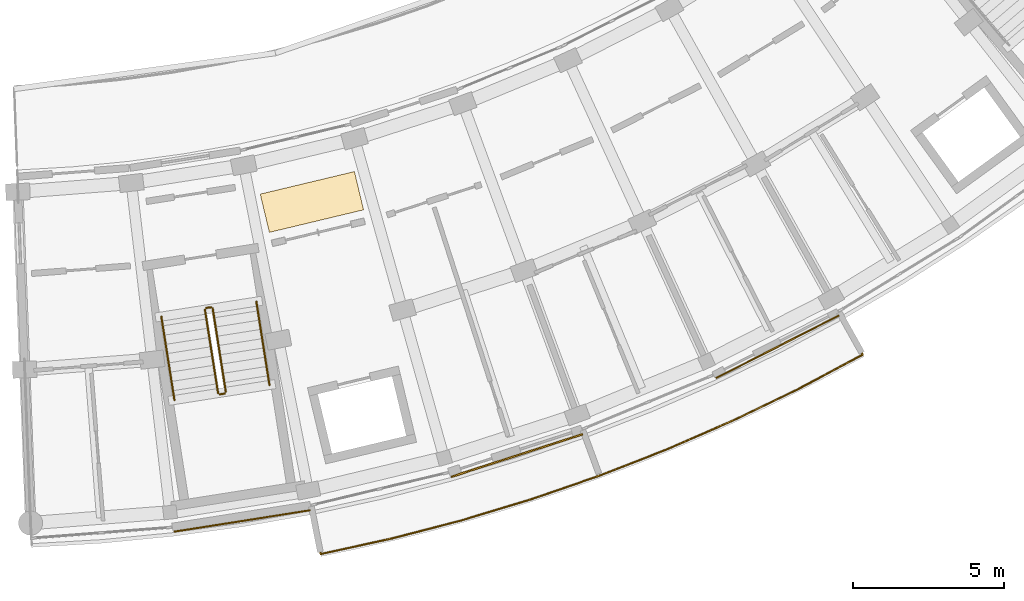
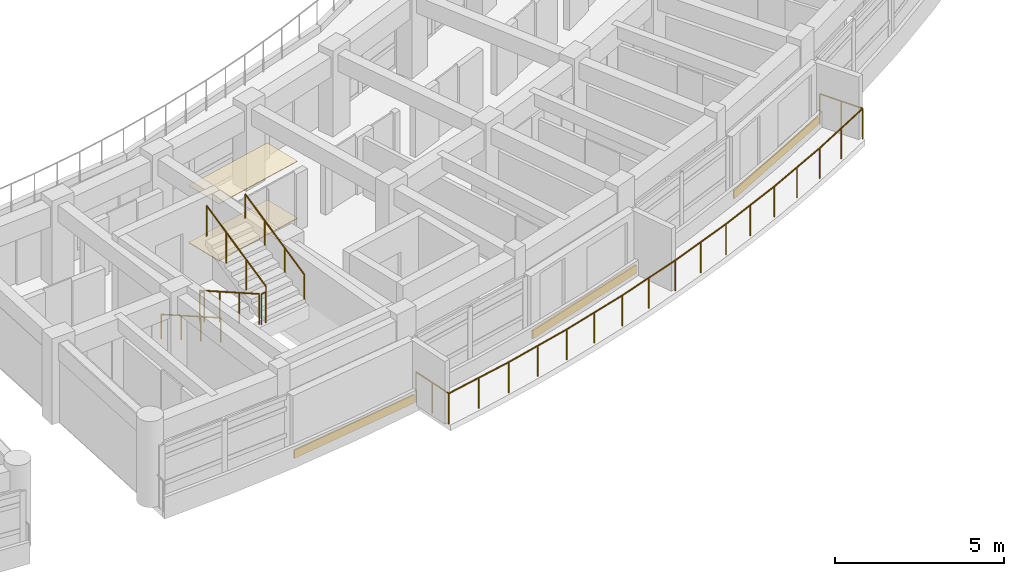
# One storey, part 52 of 54: 7 railings, 5 coverings.
"""IFC4 building model written with IfcOpenShell, lengths in metres."""

from ifc_helpers import new_model, si_unit, direction, frame, origin, origin_2d, place, context, subcontext, project, spatial, rectangle, circle, extrude, material, layer, layer_set, type_object, element, save


model = new_model("IFC4")

# Units and contexts
model_context = context("Model", 3, precision=1e-05, world=origin(), true_north=direction((0.0, 1.0)))
body_context = subcontext(model_context, "Body", "Model", "MODEL_VIEW")
ifc_project = project(units=[si_unit("LENGTHUNIT", "METRE"), si_unit("AREAUNIT", "SQUARE_METRE"), si_unit("VOLUMEUNIT", "CUBIC_METRE"), si_unit("PLANEANGLEUNIT", "RADIAN"), si_unit("MASSUNIT", "GRAM", prefix="KILO")], contexts=[model_context])

# Site, building, storey
site_placement = place(None, origin())
site = spatial("IfcSite", under=ifc_project, at=site_placement, CompositionType="ELEMENT")
building_placement = place(site_placement, origin())
building = spatial("IfcBuilding", under=site, at=building_placement, Name="Zimvara Arc Housing Community", CompositionType="ELEMENT")
storey_placement = place(building_placement, frame((0.0, 0.0, 20.5)))
storey = spatial("IfcBuildingStorey", under=building, at=storey_placement, Name="L06", CompositionType="ELEMENT", Elevation=20.5)

# Coverings
ifc_material_1 = material(Name="Pale-Gold Anodised Aluminium Cladding", Category="aluminium")
ifc_layer_1 = layer(ifc_material_1, 0.044921875)
ifc_layer_set_1 = layer_set([ifc_layer_1], Name="Pale-Gold Anodised Aluminium Cladding")
covering_type_1 = type_object("IfcCoveringType", Name="CLD-GOLD-02", PredefinedType="CLADDING", material=ifc_layer_set_1)
for number, where, z_axis, x_axis, name in (
    (1, (135.23486328125, 51.095703125, 0.009765625), (0.0, 0.0, 1.0), (0.987824479318, 0.155572484907, 0.0), "cld:blkD:L06:out:b1"),
    (2, (152.93017578125, 56.85302734375, 0.009765625), (0.0, 0.0, 1.0), (0.891402366318, 0.453212777096, 0.0), "cld:blkD:L06:out:b5"),
):
    element("IfcCovering", number, at=place(storey_placement, frame(where, z_axis=z_axis, x_axis=x_axis)), inside=storey, type_object=covering_type_1, Name=name, PredefinedType="CLADDING", context=body_context, shape_type="SweptSolid", body=[
        extrude(rectangle(XDim=4.5625, YDim=0.044921875, at=origin_2d()), origin(), (0.0, 0.0, 1.0), 0.300048828125),
    ])
ifc_material_2 = material(Name="Pale-Gold Anodised Aluminium Cladding", Category="aluminium")
ifc_layer_2 = layer(ifc_material_2, 0.054931640625)
ifc_layer_set_2 = layer_set([ifc_layer_2], Name="Pale-Gold Anodised Aluminium Cladding")
covering_type_2 = type_object("IfcCoveringType", Name="CLD-GOLD-04", PredefinedType="CLADDING", material=ifc_layer_set_2)
covering_1_placement = place(storey_placement, frame((144.316650390625, 53.25732421875, 0.009765625), z_axis=(0.0, 0.0, 1.0), x_axis=(0.951325822325, 0.308186923436, 0.0)))
element("IfcCovering", 3, at=covering_1_placement, inside=storey, type_object=covering_type_2, Name="cld:blkD:L06:out:b3", PredefinedType="CLADDING", context=body_context, shape_type="SweptSolid", body=[
    extrude(rectangle(XDim=4.5625, YDim=0.054931640625, at=origin_2d()), origin(), (0.0, 0.0, 1.0), 0.300048828125),
])
ifc_material_3 = material(Name="Perforated Acoustic Ceiling Board")
ifc_layer_3 = layer(ifc_material_3, 0.02490234375)
ifc_layer_set_3 = layer_set([ifc_layer_3], Name="Perforated Acoustic Ceiling Board")
covering_type_3 = type_object("IfcCoveringType", Name="COV-CEIL-03", PredefinedType="CEILING", material=ifc_layer_set_3)
covering_2_placement = place(storey_placement, frame((137.53955078125, 61.639404296875, 2.054931640625), z_axis=(0.0, 0.0, 1.0), x_axis=(0.232596722241, -0.972573269632, 0.0)))
element("IfcCovering", 4, at=covering_2_placement, inside=storey, type_object=covering_type_3, Name="ceil:blkD:L06", PredefinedType="CEILING", context=body_context, shape_type="SweptSolid", body=[
    extrude(rectangle(XDim=1.300048828125, YDim=3.199951171875, at=origin_2d()), origin(), (0.0, 0.0, 1.0), 0.02490234375),
])
ifc_material_4 = material(Name="Polished Coastal Sand Terrazzo")
ifc_layer_4 = layer(ifc_material_4, 0.028076171875)
ifc_layer_set_4 = layer_set([ifc_layer_4], Name="Polished Coastal Sand Terrazzo")
covering_type_4 = type_object("IfcCoveringType", Name="COV-FLOR-03", PredefinedType="FLOORING", material=ifc_layer_set_4)
covering_3_placement = place(storey_placement, frame((137.53955078125, 61.639404296875, 0.0), z_axis=(0.0, 0.0, 1.0), x_axis=(0.232596722241, -0.972573269632, 0.0)))
element("IfcCovering", 5, at=covering_3_placement, inside=storey, type_object=covering_type_4, Name="flor:blkD:L06", PredefinedType="FLOORING", context=body_context, shape_type="SweptSolid", body=[
    extrude(rectangle(XDim=1.300048828125, YDim=3.199951171875, at=origin_2d()), origin(), (0.0, 0.0, 1.0), 0.028076171875),
])

# Railings
ifc_material_5 = material(Name="Anodised Aluminium AW-6063", Category="aluminium")
railing_type_1 = type_object("IfcRailingType", Name="RLG-BAL-1120", PredefinedType="BALUSTRADE", material=ifc_material_5)
railing_1_placement = place(storey_placement, frame((137.546630859375, 51.444091796875, 0.0)))
element("IfcRailing", 6, at=railing_1_placement, inside=storey, type_object=railing_type_1, Name="rlg:blkD:L06:bal_out_guard", PredefinedType="BALUSTRADE", context=body_context, shape_type="SweptSolid", body=[
    extrude(circle(Radius=0.02392578125, at=origin_2d()), frame((0.0, 0.0, 1.09619140625), z_axis=(0.194327130478, -0.980936780002, 0.0), x_axis=(0.980936780002, 0.194327130478, 0.0)), (0.0, 0.0, 1.0), 1.469970703125),
    extrude(circle(Radius=0.02392578125, at=origin_2d()), frame((0.28564453125, -1.44189453125, 1.09619140625), z_axis=(0.976950509296, 0.213465927928, 0.0), x_axis=(-0.213465927928, 0.976950509296, 0.0)), (0.0, 0.0, 1.0), 2.39599609375),
    extrude(circle(Radius=0.02392578125, at=origin_2d()), frame((2.62646484375, -0.930419921875, 1.09619140625), z_axis=(0.967834417436, 0.251588037129, 0.0), x_axis=(-0.251588037129, 0.967834417436, 0.0)), (0.0, 0.0, 1.0), 2.39599609375),
    extrude(circle(Radius=0.02392578125, at=origin_2d()), frame((4.9453125, -0.32763671875, 1.09619140625), z_axis=(0.957193048015, 0.289450287324, 0.0), x_axis=(-0.289450287324, 0.957193048015, 0.0)), (0.0, 0.0, 1.0), 2.396240234375),
    extrude(circle(Radius=0.02392578125, at=origin_2d()), frame((7.239013671875, 0.365966796875, 1.09619140625), z_axis=(0.945067209615, 0.326876076382, 0.0), x_axis=(-0.326876076382, 0.945067209615, 0.0)), (0.0, 0.0, 1.0), 2.39599609375),
    extrude(circle(Radius=0.02392578125, at=origin_2d()), frame((9.50341796875, 1.149169921875, 1.09619140625), z_axis=(0.931543109778, 0.363630904386, 0.0), x_axis=(-0.363630904386, 0.931543109778, 0.0)), (0.0, 0.0, 1.0), 2.396240234375),
    extrude(circle(Radius=0.02392578125, at=origin_2d()), frame((11.735595703125, 2.0205078125, 1.09619140625), z_axis=(0.916542773883, 0.39993667454, 0.0), x_axis=(-0.39993667454, 0.916542773883, 0.0)), (0.0, 0.0, 1.0), 2.39599609375),
    extrude(circle(Radius=0.02392578125, at=origin_2d()), frame((13.931640625, 2.978759765625, 1.09619140625), z_axis=(0.900139919701, 0.435600878053, 0.0), x_axis=(-0.435600878053, 0.900139919701, 0.0)), (0.0, 0.0, 1.0), 2.39599609375),
    extrude(circle(Radius=0.02392578125, at=origin_2d()), frame((16.08837890625, 4.0224609375, 1.09619140625), z_axis=(0.882338838815, 0.470614676268, 0.0), x_axis=(-0.470614676268, 0.882338838815, 0.0)), (0.0, 0.0, 1.0), 2.396240234375),
    extrude(circle(Radius=0.02392578125, at=origin_2d()), frame((18.20263671875, 5.150146484375, 1.09619140625), z_axis=(-0.48792557469, 0.872885235047, 0.0), x_axis=(-0.872885235047, -0.48792557469, 0.0)), (0.0, 0.0, 1.0), 1.469970703125),
    extrude(circle(Radius=0.02099609375, at=origin_2d()), origin(), (0.0, 0.0, 1.0), 1.072021484375),
    extrude(circle(Radius=0.02099609375, at=origin_2d()), frame((0.142822265625, -0.720947265625, 0.0)), (0.0, 0.0, 1.0), 1.072021484375),
    extrude(circle(Radius=0.02099609375, at=origin_2d()), frame((0.28564453125, -1.44189453125, 0.0)), (0.0, 0.0, 1.0), 1.072021484375),
    extrude(circle(Radius=0.02099609375, at=origin_2d()), frame((1.4560546875, -1.18603515625, 0.0)), (0.0, 0.0, 1.0), 1.072021484375),
    extrude(circle(Radius=0.02099609375, at=origin_2d()), frame((2.62646484375, -0.930419921875, 0.0)), (0.0, 0.0, 1.0), 1.072021484375),
    extrude(circle(Radius=0.02099609375, at=origin_2d()), frame((3.785888671875, -0.62890625, 0.0)), (0.0, 0.0, 1.0), 1.072021484375),
    extrude(circle(Radius=0.02099609375, at=origin_2d()), frame((4.9453125, -0.32763671875, 0.0)), (0.0, 0.0, 1.0), 1.072021484375),
    extrude(circle(Radius=0.02099609375, at=origin_2d()), frame((6.09228515625, 0.01904296875, 0.0)), (0.0, 0.0, 1.0), 1.072021484375),
    extrude(circle(Radius=0.02099609375, at=origin_2d()), frame((7.239013671875, 0.365966796875, 0.0)), (0.0, 0.0, 1.0), 1.072021484375),
    extrude(circle(Radius=0.02099609375, at=origin_2d()), frame((8.37109375, 0.757568359375, 0.0)), (0.0, 0.0, 1.0), 1.072021484375),
    extrude(circle(Radius=0.02099609375, at=origin_2d()), frame((9.50341796875, 1.149169921875, 0.0)), (0.0, 0.0, 1.0), 1.072021484375),
    extrude(circle(Radius=0.02099609375, at=origin_2d()), frame((10.61962890625, 1.5849609375, 0.0)), (0.0, 0.0, 1.0), 1.072021484375),
    extrude(circle(Radius=0.02099609375, at=origin_2d()), frame((11.735595703125, 2.0205078125, 0.0)), (0.0, 0.0, 1.0), 1.072021484375),
    extrude(circle(Radius=0.02099609375, at=origin_2d()), frame((12.83349609375, 2.49951171875, 0.0)), (0.0, 0.0, 1.0), 1.072021484375),
    extrude(circle(Radius=0.02099609375, at=origin_2d()), frame((13.931640625, 2.978759765625, 0.0)), (0.0, 0.0, 1.0), 1.072021484375),
    extrude(circle(Radius=0.02099609375, at=origin_2d()), frame((15.010009765625, 3.50048828125, 0.0)), (0.0, 0.0, 1.0), 1.072021484375),
    extrude(circle(Radius=0.02099609375, at=origin_2d()), frame((16.08837890625, 4.0224609375, 0.0)), (0.0, 0.0, 1.0), 1.072021484375),
    extrude(circle(Radius=0.02099609375, at=origin_2d()), frame((17.1455078125, 4.58642578125, 0.0)), (0.0, 0.0, 1.0), 1.072021484375),
    extrude(circle(Radius=0.02099609375, at=origin_2d()), frame((18.20263671875, 5.150146484375, 0.0)), (0.0, 0.0, 1.0), 1.072021484375),
    extrude(circle(Radius=0.02099609375, at=origin_2d()), frame((17.843994140625, 5.791748046875, 0.0)), (0.0, 0.0, 1.0), 1.072021484375),
    extrude(circle(Radius=0.02099609375, at=origin_2d()), frame((17.4853515625, 6.433349609375, 0.0)), (0.0, 0.0, 1.0), 1.072021484375),
])
railing_2_placement = place(storey_placement, frame((134.003662109375, 58.077880859375, 0.155029296875)))
element("IfcRailing", 7, at=railing_2_placement, inside=storey, type_object=railing_type_1, Name="L06 ST-D1 stair guard 1", PredefinedType="BALUSTRADE", context=body_context, shape_type="SweptSolid", body=[
    extrude(circle(Radius=0.02392578125, at=origin_2d()), frame((0.0, 0.0, 1.09619140625), z_axis=(0.139155924824, -0.88353837758, 0.447208635795), x_axis=(0.98782319772, 0.155580622336, 0.0)), (0.0, 0.0, 1.0), 3.119384765625),
    extrude(circle(Radius=0.02099609375, at=origin_2d()), origin(), (0.0, 0.0, 1.0), 1.072021484375),
    extrude(circle(Radius=0.02099609375, at=origin_2d()), frame((0.144775390625, -0.918701171875, 0.465087890625)), (0.0, 0.0, 1.0), 1.072021484375),
    extrude(circle(Radius=0.02099609375, at=origin_2d()), frame((0.289306640625, -1.83740234375, 0.929931640625)), (0.0, 0.0, 1.0), 1.072021484375),
    extrude(circle(Radius=0.02099609375, at=origin_2d()), frame((0.43408203125, -2.756103515625, 1.39501953125)), (0.0, 0.0, 1.0), 1.072021484375),
])
railing_3_placement = place(storey_placement, frame((134.494873046875, 55.280029296875, 1.550048828125)))
element("IfcRailing", 8, at=railing_3_placement, inside=storey, type_object=railing_type_1, Name="L06 ST-D1 stair guard 2", PredefinedType="BALUSTRADE", context=body_context, shape_type="SweptSolid", body=[
    extrude(circle(Radius=0.02392578125, at=origin_2d()), frame((0.0, 0.0, 1.09619140625), z_axis=(0.987800074219, 0.155727368733, 0.0), x_axis=(-0.155727368733, 0.987800074219, 0.0)), (0.0, 0.0, 1.0), 0.159912109375),
    extrude(circle(Radius=0.02099609375, at=origin_2d()), origin(), (0.0, 0.0, 1.0), 1.072021484375),
    extrude(circle(Radius=0.02099609375, at=origin_2d()), frame((0.157958984375, 0.02490234375, 0.0)), (0.0, 0.0, 1.0), 1.072021484375),
])
railing_4_placement = place(storey_placement, frame((134.694580078125, 55.3623046875, 1.705078125)))
element("IfcRailing", 9, at=railing_4_placement, inside=storey, type_object=railing_type_1, Name="L06 ST-D1 stair guard 3", PredefinedType="BALUSTRADE", context=body_context, shape_type="SweptSolid", body=[
    extrude(circle(Radius=0.02392578125, at=origin_2d()), frame((0.0, 0.0, 1.09619140625), z_axis=(-0.139165548099, 0.883521207501, 0.447239562337), x_axis=(-0.987821079402, -0.155594071508, 0.0)), (0.0, 0.0, 1.0), 3.119140625),
    extrude(circle(Radius=0.02099609375, at=origin_2d()), origin(), (0.0, 0.0, 1.0), 1.072021484375),
    extrude(circle(Radius=0.02099609375, at=origin_2d()), frame((-0.144775390625, 0.918701171875, 0.465087890625)), (0.0, 0.0, 1.0), 1.072021484375),
    extrude(circle(Radius=0.02099609375, at=origin_2d()), frame((-0.289306640625, 1.837158203125, 0.929931640625)), (0.0, 0.0, 1.0), 1.072021484375),
    extrude(circle(Radius=0.02099609375, at=origin_2d()), frame((-0.43408203125, 2.755859375, 1.39501953125)), (0.0, 0.0, 1.0), 1.072021484375),
])
railing_5_placement = place(storey_placement, frame((134.045166015625, 58.135009765625, 0.0)))
element("IfcRailing", 10, at=railing_5_placement, inside=storey, type_object=railing_type_1, Name="L06 ST-D1 stair guard 4", PredefinedType="BALUSTRADE", context=body_context, shape_type="SweptSolid", body=[
    extrude(circle(Radius=0.02392578125, at=origin_2d()), frame((0.0, 0.0, 1.09619140625), z_axis=(0.987800074219, 0.155727368733, 0.0), x_axis=(-0.155727368733, 0.987800074219, 0.0)), (0.0, 0.0, 1.0), 0.159912109375),
    extrude(circle(Radius=0.02099609375, at=origin_2d()), origin(), (0.0, 0.0, 1.0), 1.072021484375),
    extrude(circle(Radius=0.02099609375, at=origin_2d()), frame((0.157958984375, 0.02490234375, 0.0)), (0.0, 0.0, 1.0), 1.072021484375),
])
ifc_material_6 = material(Name="Anodised Aluminium AW-6063", Category="aluminium")
railing_type_2 = type_object("IfcRailingType", Name="RLG-HND-900", PredefinedType="HANDRAIL", material=ifc_material_6)
railing_6_placement = place(storey_placement, frame((132.561279296875, 57.8505859375, 0.155029296875)))
element("IfcRailing", 11, at=railing_6_placement, inside=storey, type_object=railing_type_2, Name="L06 ST-D1 stair handrail 1", PredefinedType="HANDRAIL", context=body_context, shape_type="SweptSolid", body=[
    extrude(circle(Radius=0.02392578125, at=origin_2d()), frame((0.0, 0.0, 0.8759765625), z_axis=(0.139165548099, -0.883521207501, 0.447239562337), x_axis=(0.987821079402, 0.155594071508, 0.0)), (0.0, 0.0, 1.0), 3.119140625),
    extrude(circle(Radius=0.02099609375, at=origin_2d()), origin(), (0.0, 0.0, 1.0), 0.851806640625),
    extrude(circle(Radius=0.02099609375, at=origin_2d()), frame((0.144775390625, -0.918701171875, 0.465087890625)), (0.0, 0.0, 1.0), 0.851806640625),
    extrude(circle(Radius=0.02099609375, at=origin_2d()), frame((0.289306640625, -1.837158203125, 0.929931640625)), (0.0, 0.0, 1.0), 0.851806640625),
    extrude(circle(Radius=0.02099609375, at=origin_2d()), frame((0.43408203125, -2.755859375, 1.39501953125)), (0.0, 0.0, 1.0), 0.851806640625),
])
railing_7_placement = place(storey_placement, frame((136.13671875, 55.58935546875, 1.705078125)))
element("IfcRailing", 12, at=railing_7_placement, inside=storey, type_object=railing_type_2, Name="L06 ST-D1 stair handrail 2", PredefinedType="HANDRAIL", context=body_context, shape_type="SweptSolid", body=[
    extrude(circle(Radius=0.02392578125, at=origin_2d()), frame((0.0, 0.0, 0.8759765625), z_axis=(-0.139155924824, 0.88353837758, 0.447208635795), x_axis=(-0.98782319772, -0.155580622336, 0.0)), (0.0, 0.0, 1.0), 3.119384765625),
    extrude(circle(Radius=0.02099609375, at=origin_2d()), origin(), (0.0, 0.0, 1.0), 0.851806640625),
    extrude(circle(Radius=0.02099609375, at=origin_2d()), frame((-0.144775390625, 0.918701171875, 0.465087890625)), (0.0, 0.0, 1.0), 0.851806640625),
    extrude(circle(Radius=0.02099609375, at=origin_2d()), frame((-0.289306640625, 1.83740234375, 0.929931640625)), (0.0, 0.0, 1.0), 0.851806640625),
    extrude(circle(Radius=0.02099609375, at=origin_2d()), frame((-0.43408203125, 2.756103515625, 1.39501953125)), (0.0, 0.0, 1.0), 0.851806640625),
])

save(model, "model.ifc")
